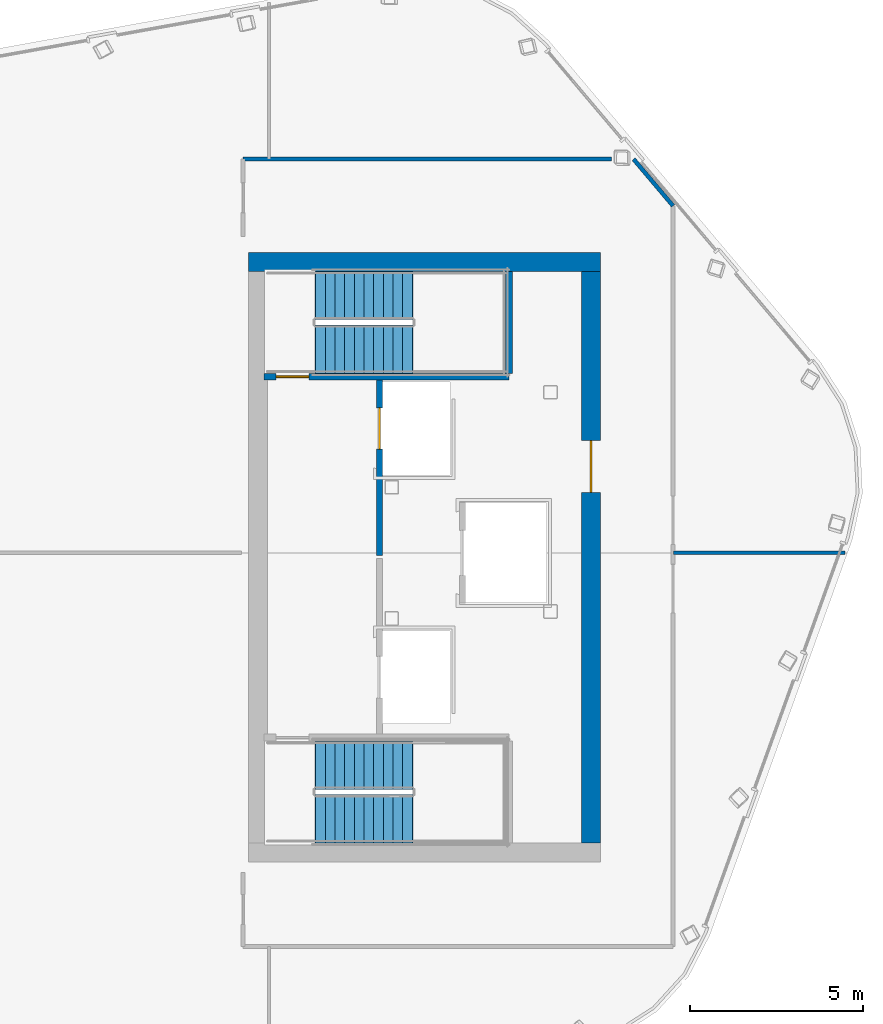
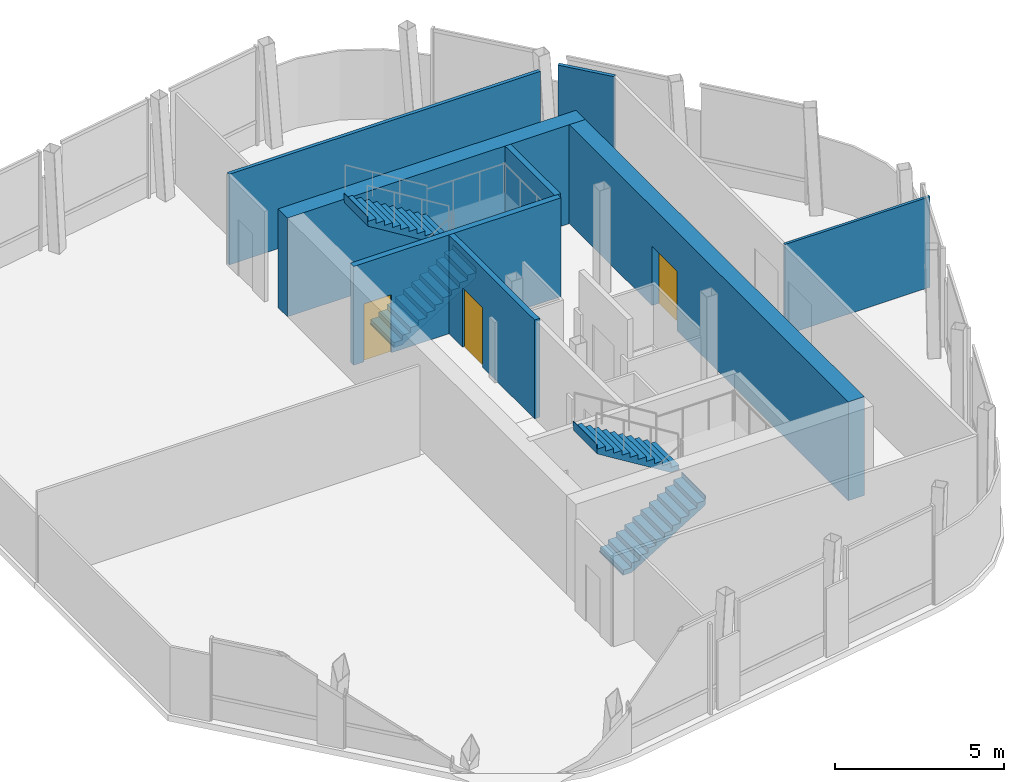
# One storey, part 5 of 8: 8 walls, 4 stair flights, 3 doors, 3 openings, 2 elements without a shape of their own.
"""IFC4 building model written with IfcOpenShell, lengths in metres."""

from ifc_helpers import new_model, si_unit, direction, frame, frame_2d, origin, place, context, subcontext, project, spatial, polyline, rectangle, outline, extrude, material, layer, layer_set, type_object, element, fill, aggregate, save


model = new_model("IFC4")

# Units and contexts
model_context = context("Model", 3, precision=1e-05, world=origin(), true_north=direction((0.0, 1.0)))
body_context = subcontext(model_context, "Body", "Model", "MODEL_VIEW")
ifc_project = project(units=[si_unit("LENGTHUNIT", "METRE"), si_unit("AREAUNIT", "SQUARE_METRE"), si_unit("VOLUMEUNIT", "CUBIC_METRE"), si_unit("PLANEANGLEUNIT", "RADIAN"), si_unit("MASSUNIT", "GRAM", prefix="KILO")], contexts=[model_context])

# Site, building, storey
site_placement = place(None, origin())
site = spatial("IfcSite", under=ifc_project, at=site_placement, CompositionType="ELEMENT")
building_placement = place(site_placement, origin())
building = spatial("IfcBuilding", under=site, at=building_placement, Name="Valkerne Bourse Tower", CompositionType="ELEMENT")
storey_placement = place(building_placement, frame((0.0, 0.0, 326.800048828125)))
storey = spatial("IfcBuildingStorey", under=building, at=storey_placement, Name="L83", CompositionType="ELEMENT", Elevation=326.800048828125)

# Wall
ifc_material_1 = material(Name="Concrete C55/67", Category="concrete")
ifc_layer_1 = layer(ifc_material_1, 0.550048828125)
ifc_layer_set_1 = layer_set([ifc_layer_1], Name="Concrete C55/67")
wall_type_1 = type_object("IfcWallType", Name="W-CORE-550", PredefinedType="SHEAR", material=ifc_layer_set_1)
wall_1_placement = place(storey_placement, frame((46.199951171875, 35.425048828125, 0.0), z_axis=(0.0, 0.0, 1.0), x_axis=(1.0, 0.0, 0.0)))
element("IfcWall", 1, at=wall_1_placement, inside=storey, type_object=wall_type_1, Name="L83 Core Shear Wall NORTH", PredefinedType="SHEAR", context=body_context, shape_type="SweptSolid", body=[
    extrude(rectangle(XDim=10.199951171875, YDim=0.550048828125, at=frame_2d((5.10009765625, 0.0))), origin(), (0.0, 0.0, 1.0), 3.579833984375),
])

# Wall, opening, door
wall_2_placement = place(storey_placement, frame((56.125, 18.60009765625, 0.0), z_axis=(0.0, 0.0, 1.0), x_axis=(0.0, 1.0, 0.0)))
wall_2 = element("IfcWall", 2, at=wall_2_placement, inside=storey, type_object=wall_type_1, Name="L83 Core Shear Wall EAST", PredefinedType="SHEAR", context=body_context, shape_type="SweptSolid", body=[
    extrude(rectangle(XDim=16.5498046875, YDim=0.550048828125, at=frame_2d((8.27490234375, 0.0))), origin(), (0.0, 0.0, 1.0), 3.579833984375),
])
opening_1_placement = place(wall_2_placement, frame((10.14990234375, 0.0, 0.0)))
opening_1 = element("IfcOpeningElement", 3, at=opening_1_placement, cuts=wall_2, Name="Opening D-CR-1500", PredefinedType="OPENING", context=body_context, shape_type="SweptSolid", body=[
    extrude(rectangle(XDim=1.5, YDim=2.14990234375, at=frame_2d((0.75, 1.074951171875))), frame((0.0, 0.284912109375, 0.0), z_axis=(0.0, -1.0, 0.0), x_axis=(1.0, 0.0, 0.0)), (0.0, 0.0, 1.0), 0.570068359375),
])
ifc_material_2 = material(Name="Galvanised Painted Steel", Category="steel")
door_type_1 = type_object("IfcDoorType", Name="DR-CORR-1500", OperationType="DOUBLE_DOOR_SINGLE_SWING", PredefinedType="DOOR", material=ifc_material_2)
door_1_placement = place(opening_1_placement, origin())
door_1 = element("IfcDoor", 4, at=door_1_placement, inside=storey, type_object=door_type_1, Name="L83 East Core Service Lobby Fire Door", OperationType="DOUBLE_DOOR_SINGLE_SWING", OverallHeight=2.14990234375, OverallWidth=1.5, PredefinedType="DOOR", context=body_context, shape_type="SweptSolid", body=[
    extrude(rectangle(XDim=1.5, YDim=2.14990234375, at=frame_2d((0.75, 1.074951171875))), frame((0.0, 0.02490234375, 0.0), z_axis=(0.0, -1.0, 0.0), x_axis=(1.0, 0.0, 0.0)), (0.0, 0.0, 1.0), 0.050048828125),
])
fill(opening_1, door_1)

# Walls
ifc_material_3 = material(Name="Gypsum Board Steel-Stud Partition", Category="steel")
ifc_layer_2 = layer(ifc_material_3, 0.117919921875)
ifc_layer_set_2 = layer_set([ifc_layer_2], Name="Gypsum Board Steel-Stud Partition")
wall_type_2 = type_object("IfcWallType", Name="W-CORR-140", PredefinedType="PARTITIONING", material=ifc_layer_set_2)
wall_3_placement = place(storey_placement, frame((46.050048828125, 38.39990234375, 0.0), z_axis=(0.0, 0.0, 1.0), x_axis=(1.0, 0.0, 0.0)))
element("IfcWall", 5, at=wall_3_placement, inside=storey, type_object=wall_type_2, Name="L83 Corridor Enclosure Wall", PredefinedType="PARTITIONING", context=body_context, shape_type="SweptSolid", body=[
    extrude(rectangle(XDim=10.6650390625, YDim=0.117919921875, at=frame_2d((5.33251953125, 0.0))), origin(), (0.0, 0.0, 1.0), 3.280029296875),
])
wall_4_placement = place(storey_placement, frame((57.35693359375, 38.39990234375, 0.0), z_axis=(0.0, 0.0, 1.0), x_axis=(0.645552766136, -0.763715671002, 0.0)))
element("IfcWall", 6, at=wall_4_placement, inside=storey, type_object=wall_type_2, Name="L83 Corridor Enclosure Wall", PredefinedType="PARTITIONING", context=body_context, shape_type="SweptSolid", body=[
    extrude(rectangle(XDim=1.770751953125, YDim=0.117919921875, at=frame_2d((0.88525390625, 0.0))), origin(), (0.0, 0.0, 1.0), 3.280029296875),
])

# Wall, opening, door
ifc_material_4 = material(Name="Gypsum Fire-Rated Shaftwall", Category="gypsum")
ifc_layer_3 = layer(ifc_material_4, 0.179931640625)
ifc_layer_set_3 = layer_set([ifc_layer_3], Name="Gypsum Fire-Rated Shaftwall")
wall_type_3 = type_object("IfcWallType", Name="W-FSAE-180", PredefinedType="PARTITIONING", material=ifc_layer_set_3)
wall_5_placement = place(storey_placement, frame((50.0, 26.919921875, 0.0), z_axis=(0.0, 0.0, 1.0), x_axis=(0.0, 1.0, 0.0)))
wall_5 = element("IfcWall", 7, at=wall_5_placement, inside=storey, type_object=wall_type_3, Name="L83 FSAE-2 Lobby & Shaft Front Wall", PredefinedType="PARTITIONING", context=body_context, shape_type="SweptSolid", body=[
    extrude(rectangle(XDim=5.080078125, YDim=0.179931640625, at=frame_2d((2.5400390625, 0.0))), origin(), (0.0, 0.0, 1.0), 3.579833984375),
])
opening_2_placement = place(wall_5_placement, frame((3.080078125, 0.0, 0.0)))
opening_2 = element("IfcOpeningElement", 8, at=opening_2_placement, cuts=wall_5, Name="Opening LD-1200", PredefinedType="OPENING", context=body_context, shape_type="SweptSolid", body=[
    extrude(rectangle(XDim=1.199951171875, YDim=2.14990234375, at=frame_2d((0.60009765625, 1.074951171875))), frame((0.0, 0.099853515625, 0.0), z_axis=(0.0, -1.0, 0.0), x_axis=(1.0, 0.0, 0.0)), (0.0, 0.0, 1.0), 0.199951171875),
])
ifc_material_5 = material(Name="Stainless Steel AISI 316", Category="steel")
door_type_2 = type_object("IfcDoorType", Name="DR-LIFT-1200", OperationType="DOUBLE_DOOR_SLIDING", PredefinedType="DOOR", material=ifc_material_5)
door_2_placement = place(opening_2_placement, origin())
door_2 = element("IfcDoor", 9, at=door_2_placement, inside=storey, type_object=door_type_2, Name="L83 FSAE-2 Firefighting Lift Landing Door", OperationType="DOUBLE_DOOR_SLIDING", OverallHeight=2.14990234375, OverallWidth=1.199951171875, PredefinedType="DOOR", context=body_context, shape_type="SweptSolid", body=[
    extrude(rectangle(XDim=1.199951171875, YDim=2.14990234375, at=frame_2d((0.60009765625, 1.074951171875))), frame((0.0, 0.02490234375, 0.0), z_axis=(0.0, -1.0, 0.0), x_axis=(1.0, 0.0, 0.0)), (0.0, 0.0, 1.0), 0.050048828125),
])
fill(opening_2, door_2)

# Wall
ifc_layer_4 = layer(ifc_material_3, 0.092041015625)
ifc_layer_set_4 = layer_set([ifc_layer_4], Name="Gypsum Board Steel-Stud Partition")
wall_type_4 = type_object("IfcWallType", Name="W-PART-115", PredefinedType="PARTITIONING", material=ifc_layer_set_4)
wall_6_placement = place(storey_placement, frame((58.5048828125, 27.0, 0.0), z_axis=(0.0, 0.0, 1.0), x_axis=(1.0, 0.0, 0.0)))
element("IfcWall", 10, at=wall_6_placement, inside=storey, type_object=wall_type_4, Name="L83 Suite Partition P03", PredefinedType="PARTITIONING", context=body_context, shape_type="SweptSolid", body=[
    extrude(rectangle(XDim=4.97265625, YDim=0.092041015625, at=frame_2d((2.486328125, 0.0))), origin(), (0.0, 0.0, 1.0), 3.280029296875),
])

# Wall, opening, door
ifc_material_6 = material(Name="Concrete C40/50", Category="concrete")
ifc_layer_5 = layer(ifc_material_6, 0.199951171875)
ifc_layer_set_5 = layer_set([ifc_layer_5], Name="Concrete C40/50")
wall_type_5 = type_object("IfcWallType", Name="W-SHF-200", PredefinedType="SHEAR", material=ifc_layer_set_5)
wall_7_placement = place(storey_placement, frame((46.64990234375, 32.10009765625, 0.0), z_axis=(0.0, 0.0, 1.0), x_axis=(1.0, 0.0, 0.0)))
wall_7 = element("IfcWall", 11, at=wall_7_placement, inside=storey, type_object=wall_type_5, Name="L83 Exit Stair ST-2 Structural Shaft Wall South", PredefinedType="SHEAR", context=body_context, shape_type="SweptSolid", body=[
    extrude(rectangle(XDim=7.10009765625, YDim=0.199951171875, at=frame_2d((3.550048828125, 0.0))), origin(), (0.0, 0.0, 1.0), 3.579833984375),
])
opening_3_placement = place(wall_7_placement, frame((0.35009765625, 0.0, 0.0)))
opening_3 = element("IfcOpeningElement", 12, at=opening_3_placement, cuts=wall_7, Name="Opening D-ST-950", PredefinedType="OPENING", context=body_context, shape_type="SweptSolid", body=[
    extrude(rectangle(XDim=0.949951171875, YDim=2.10009765625, at=frame_2d((0.47509765625, 1.050048828125))), frame((0.0, 0.10986328125, 0.0), z_axis=(0.0, -1.0, 0.0), x_axis=(1.0, 0.0, 0.0)), (0.0, 0.0, 1.0), 0.219970703125),
])
door_type_3 = type_object("IfcDoorType", Name="DR-STAIR-950", OperationType="NOTDEFINED", PredefinedType="DOOR", material=ifc_material_2)
door_3_placement = place(opening_3_placement, origin())
door_3 = element("IfcDoor", 13, at=door_3_placement, inside=storey, type_object=door_type_3, Name="L83 Exit Stair ST-2 Door", OperationType="SINGLE_SWING_LEFT", OverallHeight=2.10009765625, OverallWidth=0.949951171875, PredefinedType="DOOR", context=body_context, shape_type="SweptSolid", body=[
    extrude(rectangle(XDim=0.949951171875, YDim=2.10009765625, at=frame_2d((0.47509765625, 1.050048828125))), frame((0.0, 0.02490234375, 0.0), z_axis=(0.0, -1.0, 0.0), x_axis=(1.0, 0.0, 0.0)), (0.0, 0.0, 1.0), 0.050048828125),
])
fill(opening_3, door_3)

# Wall
wall_8_placement = place(storey_placement, frame((53.75, 32.199951171875, 0.0), z_axis=(0.0, 0.0, 1.0), x_axis=(0.0, 1.0, 0.0)))
element("IfcWall", 14, at=wall_8_placement, inside=storey, type_object=wall_type_5, Name="L83 Exit Stair ST-2 Structural Shaft Wall East", PredefinedType="SHEAR", context=body_context, shape_type="SweptSolid", body=[
    extrude(rectangle(XDim=2.949951171875, YDim=0.199951171875, at=frame_2d((1.47509765625, 0.0))), origin(), (0.0, 0.0, 1.0), 3.579833984375),
])

# Stair, stair flights
stair_type = type_object("IfcStairType", Name="ST-CORE-1400", PredefinedType="HALF_TURN_STAIR", material=ifc_material_6)
stair_1_placement = place(storey_placement, origin())
stair_1 = element("IfcStair", 15, at=stair_1_placement, inside=storey, type_object=stair_type, Name="L83 ST-1", PredefinedType="HALF_TURN_STAIR")
stair_flight_type = type_object("IfcStairFlightType", Name="STF-CORE-1400", PredefinedType="STRAIGHT", material=ifc_material_6)
stair_flight_1_placement = place(storey_placement, frame((48.14990234375, 19.300048828125, 0.0), z_axis=(0.0, 0.0, 1.0), x_axis=(1.0, 0.0, 0.0)))
stair_flight_1 = element("IfcStairFlight", 16, at=stair_flight_1_placement, type_object=stair_flight_type, Name="ST-1 flight 1", NumberOfRisers=11, NumberOfTreads=10, PredefinedType="STRAIGHT", RiserHeight=0.172727273, TreadLength=0.28, context=body_context, shape_type="SweptSolid", body=[
    extrude(outline(polyline([(-0.02001953125, 0.0), (-0.02001953125, 0.044921875), (0.0, 0.044921875), (0.0, 0.172607421875), (0.280029296875, 0.172607421875), (0.280029296875, 0.345458984375), (0.56005859375, 0.345458984375), (0.56005859375, 0.51806640625), (0.840087890625, 0.51806640625), (0.840087890625, 0.69091796875), (1.1201171875, 0.69091796875), (1.1201171875, 0.863525390625), (1.39990234375, 0.863525390625), (1.39990234375, 1.036376953125), (1.679931640625, 1.036376953125), (1.679931640625, 1.208984375), (1.9599609375, 1.208984375), (1.9599609375, 1.3818359375), (2.239990234375, 1.3818359375), (2.239990234375, 1.554443359375), (2.52001953125, 1.554443359375), (2.52001953125, 1.727294921875), (2.800048828125, 1.727294921875), (2.800048828125, 1.89990234375), (2.820068359375, 1.89990234375), (2.820068359375, 1.780029296875), (2.800048828125, 1.551025390625), (0.285400390625, 0.0), (-0.02001953125, 0.0)])), frame((0.0, 0.699951171875, 0.0), z_axis=(0.0, -1.0, 0.0), x_axis=(1.0, 0.0, 0.0)), (0.0, 0.0, 1.0), 1.39990234375),
])
stair_flight_2_placement = place(storey_placement, frame((50.949951171875, 20.85009765625, 1.89990234375), z_axis=(0.0, 0.0, 1.0), x_axis=(-1.0, 0.0, 0.0)))
stair_flight_2 = element("IfcStairFlight", 17, at=stair_flight_2_placement, type_object=stair_flight_type, Name="ST-1 flight 2", NumberOfRisers=11, NumberOfTreads=10, PredefinedType="STRAIGHT", RiserHeight=0.172727273, TreadLength=0.28, context=body_context, shape_type="SweptSolid", body=[
    extrude(outline(polyline([(-0.02001953125, 0.0), (-0.02001953125, 0.044921875), (0.0, 0.044921875), (0.0, 0.172607421875), (0.280029296875, 0.172607421875), (0.280029296875, 0.345458984375), (0.56005859375, 0.345458984375), (0.56005859375, 0.51806640625), (0.840087890625, 0.51806640625), (0.840087890625, 0.69091796875), (1.1201171875, 0.69091796875), (1.1201171875, 0.863525390625), (1.39990234375, 0.863525390625), (1.39990234375, 1.036376953125), (1.679931640625, 1.036376953125), (1.679931640625, 1.208984375), (1.9599609375, 1.208984375), (1.9599609375, 1.3818359375), (2.239990234375, 1.3818359375), (2.239990234375, 1.554443359375), (2.52001953125, 1.554443359375), (2.52001953125, 1.727294921875), (2.800048828125, 1.727294921875), (2.800048828125, 1.89990234375), (2.820068359375, 1.89990234375), (2.820068359375, 1.780029296875), (2.800048828125, 1.551025390625), (0.285400390625, 0.0), (-0.02001953125, 0.0)])), frame((0.0, 0.699951171875, 0.0), z_axis=(0.0, -1.0, 0.0), x_axis=(1.0, 0.0, 0.0)), (0.0, 0.0, 1.0), 1.39990234375),
])
aggregate(stair_1, [stair_flight_1, stair_flight_2])

stair_2_placement = place(storey_placement, origin())
stair_2 = element("IfcStair", 18, at=stair_2_placement, inside=storey, type_object=stair_type, Name="L83 ST-2", PredefinedType="HALF_TURN_STAIR")
stair_flight_3_placement = place(storey_placement, frame((48.14990234375, 32.89990234375, 0.0), z_axis=(0.0, 0.0, 1.0), x_axis=(1.0, 0.0, 0.0)))
stair_flight_3 = element("IfcStairFlight", 19, at=stair_flight_3_placement, type_object=stair_flight_type, Name="ST-2 flight 1", NumberOfRisers=11, NumberOfTreads=10, PredefinedType="STRAIGHT", RiserHeight=0.172727273, TreadLength=0.28, context=body_context, shape_type="SweptSolid", body=[
    extrude(outline(polyline([(-0.02001953125, 0.0), (-0.02001953125, 0.044921875), (0.0, 0.044921875), (0.0, 0.172607421875), (0.280029296875, 0.172607421875), (0.280029296875, 0.345458984375), (0.56005859375, 0.345458984375), (0.56005859375, 0.51806640625), (0.840087890625, 0.51806640625), (0.840087890625, 0.69091796875), (1.1201171875, 0.69091796875), (1.1201171875, 0.863525390625), (1.39990234375, 0.863525390625), (1.39990234375, 1.036376953125), (1.679931640625, 1.036376953125), (1.679931640625, 1.208984375), (1.9599609375, 1.208984375), (1.9599609375, 1.3818359375), (2.239990234375, 1.3818359375), (2.239990234375, 1.554443359375), (2.52001953125, 1.554443359375), (2.52001953125, 1.727294921875), (2.800048828125, 1.727294921875), (2.800048828125, 1.89990234375), (2.820068359375, 1.89990234375), (2.820068359375, 1.780029296875), (2.800048828125, 1.551025390625), (0.285400390625, 0.0), (-0.02001953125, 0.0)])), frame((0.0, 0.699951171875, 0.0), z_axis=(0.0, -1.0, 0.0), x_axis=(1.0, 0.0, 0.0)), (0.0, 0.0, 1.0), 1.39990234375),
])
stair_flight_4_placement = place(storey_placement, frame((50.949951171875, 34.449951171875, 1.89990234375), z_axis=(0.0, 0.0, 1.0), x_axis=(-1.0, 0.0, 0.0)))
stair_flight_4 = element("IfcStairFlight", 20, at=stair_flight_4_placement, type_object=stair_flight_type, Name="ST-2 flight 2", NumberOfRisers=11, NumberOfTreads=10, PredefinedType="STRAIGHT", RiserHeight=0.172727273, TreadLength=0.28, context=body_context, shape_type="SweptSolid", body=[
    extrude(outline(polyline([(-0.02001953125, 0.0), (-0.02001953125, 0.044921875), (0.0, 0.044921875), (0.0, 0.172607421875), (0.280029296875, 0.172607421875), (0.280029296875, 0.345458984375), (0.56005859375, 0.345458984375), (0.56005859375, 0.51806640625), (0.840087890625, 0.51806640625), (0.840087890625, 0.69091796875), (1.1201171875, 0.69091796875), (1.1201171875, 0.863525390625), (1.39990234375, 0.863525390625), (1.39990234375, 1.036376953125), (1.679931640625, 1.036376953125), (1.679931640625, 1.208984375), (1.9599609375, 1.208984375), (1.9599609375, 1.3818359375), (2.239990234375, 1.3818359375), (2.239990234375, 1.554443359375), (2.52001953125, 1.554443359375), (2.52001953125, 1.727294921875), (2.800048828125, 1.727294921875), (2.800048828125, 1.89990234375), (2.820068359375, 1.89990234375), (2.820068359375, 1.780029296875), (2.800048828125, 1.551025390625), (0.285400390625, 0.0), (-0.02001953125, 0.0)])), frame((0.0, 0.699951171875, 0.0), z_axis=(0.0, -1.0, 0.0), x_axis=(1.0, 0.0, 0.0)), (0.0, 0.0, 1.0), 1.39990234375),
])
aggregate(stair_2, [stair_flight_3, stair_flight_4])

save(model, "model.ifc")
